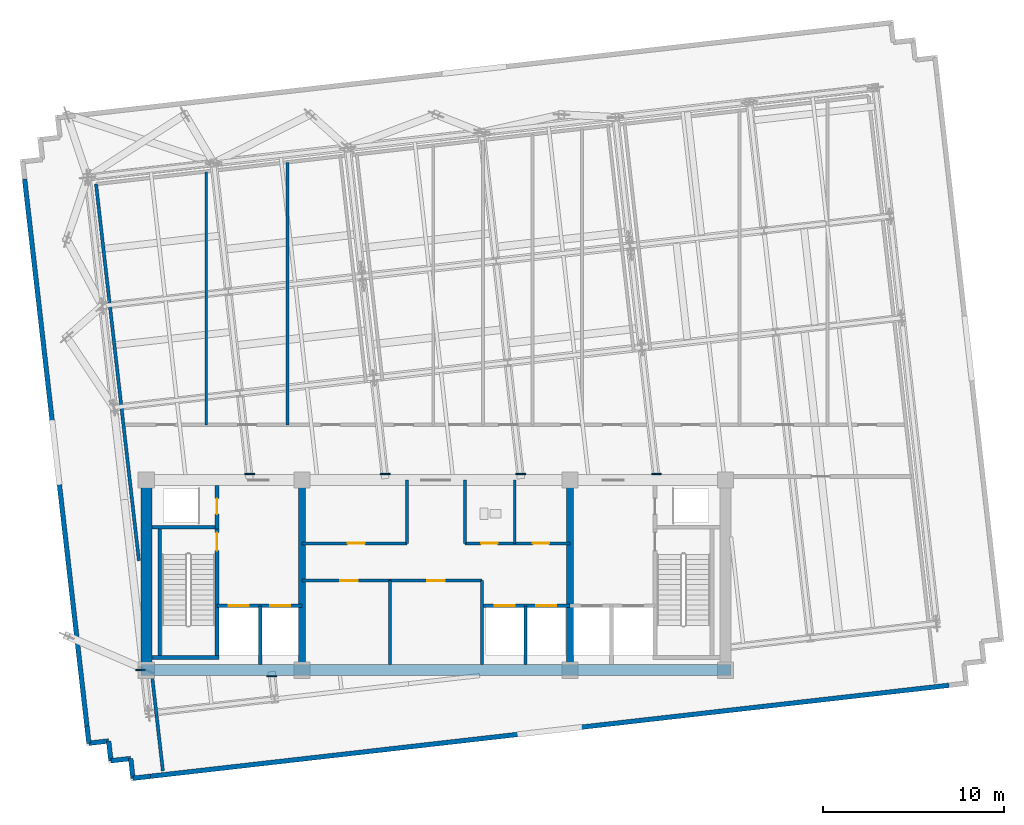
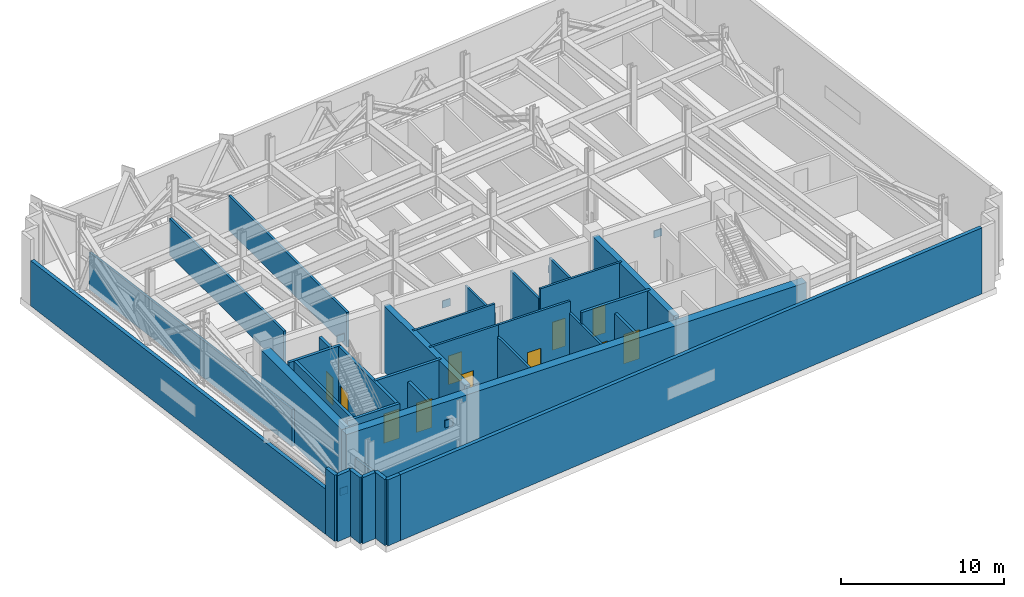
# One storey, part 5 of 10: 34 walls, 11 doors, 6 plates, 11 openings.
"""IFC4 building model written with IfcOpenShell, lengths in metres."""

from ifc_helpers import new_model, si_unit, direction, frame, frame_2d, origin, origin_2d, place, context, subcontext, project, spatial, rectangle, extrude, material, layer, layer_set, type_object, element, fill, save


model = new_model("IFC4")

# Units and contexts
model_context = context("Model", 3, precision=1e-05, world=origin(), true_north=direction((0.0, 1.0)))
body_context = subcontext(model_context, "Body", "Model", "MODEL_VIEW")
ifc_project = project(units=[si_unit("LENGTHUNIT", "METRE"), si_unit("AREAUNIT", "SQUARE_METRE"), si_unit("VOLUMEUNIT", "CUBIC_METRE"), si_unit("PLANEANGLEUNIT", "RADIAN"), si_unit("MASSUNIT", "GRAM", prefix="KILO")], contexts=[model_context])

# Site, building, storey
site_placement = place(None, origin())
site = spatial("IfcSite", under=ifc_project, at=site_placement, CompositionType="ELEMENT")
building_placement = place(site_placement, origin())
building = spatial("IfcBuilding", under=site, at=building_placement, Name="Solmavex Isthmus Hotel", CompositionType="ELEMENT")
storey_placement = place(building_placement, frame((0.0, 0.0, 240.0)))
storey = spatial("IfcBuildingStorey", under=building, at=storey_placement, Name="L65", CompositionType="ELEMENT", Elevation=240.0)

# Plates
ifc_material_1 = material(Name="Steel ASTM A572 Grade 50", Category="steel")
ifc_layer_1 = layer(ifc_material_1, 0.06005859375)
ifc_layer_set_1 = layer_set([ifc_layer_1], Name="Steel ASTM A572 Grade 50")
plate_type = type_object("IfcPlateType", Name="PLT-EMBED-60", PredefinedType="USERDEFINED", material=ifc_layer_set_1)
for number, where, z_axis, x_axis, name in (
    (1, (-9.077392578125, -13.335693359375, 2.77685546875), (0.0, 0.0, 1.0), (1.0, 0.0, 0.0), "Outrigger Strut Core Cast-In Embedment Stiffener Plate 090"),
    (2, (-10.30029296875, -2.164306640625, 2.77685546875), (0.0, 0.0, 1.0), (1.0, 0.0, 0.0), "Outrigger Strut Core Cast-In Embedment Stiffener Plate 091"),
    (3, (-2.80615234375, -2.164306640625, 2.77685546875), (0.0, 0.0, 1.0), (1.0, 0.0, 0.0), "Outrigger Strut Core Cast-In Embedment Stiffener Plate 092"),
    (4, (4.688232421875, -2.164306640625, 2.77685546875), (0.0, 0.0, 1.0), (1.0, 0.0, 0.0), "Outrigger Strut Core Cast-In Embedment Stiffener Plate 093"),
    (5, (12.182373046875, -2.164306640625, 2.77685546875), (0.0, 0.0, 1.0), (1.0, 0.0, 0.0), "Outrigger Strut Core Cast-In Embedment Stiffener Plate 094"),
    (6, (-16.322998046875, -12.989990234375, 0.02490234375), (0.0, 0.0, 1.0), (1.0, 0.0, 0.0), "Outrigger Strut Core Cast-In Embedment Stiffener Plate 108"),
):
    element("IfcPlate", number, at=place(storey_placement, frame(where, z_axis=z_axis, x_axis=x_axis)), inside=storey, type_object=plate_type, Name=name, ObjectType="STIFFENER_PLATE", PredefinedType="USERDEFINED", context=body_context, shape_type="SweptSolid", body=[
        extrude(rectangle(XDim=0.550048828125, YDim=0.06005859375, at=origin_2d()), origin(), (0.0, 0.0, 1.0), 0.550048828125),
    ])

# Walls
ifc_material_2 = material(Name="Precast Concrete C40/50", Category="concrete")
ifc_layer_2 = layer(ifc_material_2, 0.260009765625)
ifc_layer_set_2 = layer_set([ifc_layer_2], Name="Precast Concrete C40/50")
wall_type_1 = type_object("IfcWallType", Name="EW-CRN-260", PredefinedType="STANDARD", material=ifc_layer_set_2)
wall_1_placement = place(storey_placement, frame((-15.77783203125, -18.864990234375, 0.0), z_axis=(0.0, 0.0, 1.0), x_axis=(-0.99356346793, -0.113276807846, 0.0)))
element("IfcWall", 7, at=wall_1_placement, inside=storey, type_object=wall_type_1, Name="Plant Acoustic Louvre Enclosure Wall L65-01", PredefinedType="STANDARD", context=body_context, shape_type="SweptSolid", body=[
    extrude(rectangle(XDim=0.969970703125, YDim=0.260009765625, at=frame_2d((0.48486328125, 0.0))), origin(), (0.0, 0.0, 1.0), 4.949951171875),
])
for number, where, z_axis, x_axis, name in (
    (8, (-16.741455078125, -18.974853515625, 0.0), (0.0, 0.0, 1.0), (-0.113183557839, 0.99357409499, 0.0), "Plant Acoustic Louvre Enclosure Wall L65-02"),
    (9, (-16.865966796875, -17.8818359375, 0.0), (0.0, 0.0, 1.0), (-0.99357409499, -0.113183557839, 0.0), "Plant Acoustic Louvre Enclosure Wall L65-03"),
):
    element("IfcWall", number, at=place(storey_placement, frame(where, z_axis=z_axis, x_axis=x_axis)), inside=storey, type_object=wall_type_1, Name=name, PredefinedType="STANDARD", context=body_context, shape_type="SweptSolid", body=[
        extrude(rectangle(XDim=1.10009765625, YDim=0.260009765625, at=frame_2d((0.550048828125, 0.0))), origin(), (0.0, 0.0, 1.0), 4.949951171875),
    ])
wall_2_placement = place(storey_placement, frame((-17.958984375, -18.00634765625, 0.0), z_axis=(0.0, 0.0, 1.0), x_axis=(-0.11320852056, 0.99357125103, 0.0)))
element("IfcWall", 10, at=wall_2_placement, inside=storey, type_object=wall_type_1, Name="Plant Acoustic Louvre Enclosure Wall L65-04", PredefinedType="STANDARD", context=body_context, shape_type="SweptSolid", body=[
    extrude(rectangle(XDim=1.099853515625, YDim=0.260009765625, at=frame_2d((0.5498046875, 0.0))), origin(), (0.0, 0.0, 1.0), 4.949951171875),
])
wall_3_placement = place(storey_placement, frame((-18.08349609375, -16.91357421875, 0.0), z_axis=(0.0, 0.0, 1.0), x_axis=(-0.99357409499, -0.113183557839, 0.0)))
element("IfcWall", 11, at=wall_3_placement, inside=storey, type_object=wall_type_1, Name="Plant Acoustic Louvre Enclosure Wall L65-05", PredefinedType="STANDARD", context=body_context, shape_type="SweptSolid", body=[
    extrude(rectangle(XDim=1.10009765625, YDim=0.260009765625, at=frame_2d((0.550048828125, 0.0))), origin(), (0.0, 0.0, 1.0), 4.949951171875),
])
wall_4_placement = place(storey_placement, frame((-19.176513671875, -17.0380859375, 0.0), z_axis=(0.0, 0.0, 1.0), x_axis=(-0.113000037402, 0.993594983656, 0.0)))
element("IfcWall", 12, at=wall_4_placement, inside=storey, type_object=wall_type_1, Name="Plant Acoustic Louvre Enclosure Wall L65-06", PredefinedType="STANDARD", context=body_context, shape_type="SweptSolid", body=[
    extrude(rectangle(XDim=0.969970703125, YDim=0.260009765625, at=frame_2d((0.48486328125, 0.0))), origin(), (0.0, 0.0, 1.0), 4.949951171875),
])
wall_5_placement = place(storey_placement, frame((-19.2861328125, -16.07421875, 0.0), z_axis=(0.0, 0.0, 1.0), x_axis=(-0.11320412083, 0.99357175233, 0.0)))
element("IfcWall", 13, at=wall_5_placement, inside=storey, type_object=wall_type_1, Name="Plant Acoustic Louvre Enclosure Wall L65-07", PredefinedType="STANDARD", context=body_context, shape_type="SweptSolid", body=[
    extrude(rectangle(XDim=30.39990234375, YDim=0.260009765625, at=frame_2d((15.199951171875, 0.0))), origin(), (0.0, 0.0, 1.0), 3.385009765625),
])
wall_6_placement = place(storey_placement, frame((28.3369140625, -13.8388671875, 0.0), z_axis=(0.0, 0.0, 1.0), x_axis=(-0.993572153034, -0.113200603864, 0.0)))
element("IfcWall", 14, at=wall_6_placement, inside=storey, type_object=wall_type_1, Name="Plant Acoustic Louvre Enclosure Wall L65-28", PredefinedType="STANDARD", context=body_context, shape_type="SweptSolid", body=[
    extrude(rectangle(XDim=44.400146484375, YDim=0.260009765625, at=frame_2d((22.2001953125, 0.0))), origin(), (0.0, 0.0, 1.0), 4.949951171875),
])

# Wall, opening, door
ifc_material_3 = material(Name="Gypsum plasterboard lining", Category="gypsum")
ifc_layer_3 = layer(ifc_material_3, 0.159912109375)
ifc_layer_set_3 = layer_set([ifc_layer_3], Name="Gypsum plasterboard lining")
wall_type_2 = type_object("IfcWallType", Name="IW-COMP-160", PredefinedType="PARTITIONING", material=ifc_layer_set_3)
wall_7_placement = place(storey_placement, frame((-7.39990234375, -8.050048828125, 0.0), z_axis=(0.0, 0.0, 1.0), x_axis=(1.0, 0.0, 0.0)))
wall_7 = element("IfcWall", 15, at=wall_7_placement, inside=storey, type_object=wall_type_2, Name="Interior Partition Wall W-L65-REC-PLL-N", PredefinedType="PARTITIONING", context=body_context, shape_type="SweptSolid", body=[
    extrude(rectangle(XDim=4.849853515625, YDim=0.159912109375, at=frame_2d((2.4248046875, 0.0))), origin(), (0.0, 0.0, 1.0), 4.949951171875),
])
opening_1_placement = place(wall_7_placement, frame((2.125, 0.0, 0.0)))
opening_1 = element("IfcOpeningElement", 16, at=opening_1_placement, cuts=wall_7, Name="Opening ID-C095", PredefinedType="OPENING", context=body_context, shape_type="SweptSolid", body=[
    extrude(rectangle(XDim=0.949951171875, YDim=2.14990234375, at=frame_2d((0.47509765625, 1.074951171875))), frame((0.0, 0.08984375, 0.0), z_axis=(0.0, -1.0, 0.0), x_axis=(1.0, 0.0, 0.0)), (0.0, 0.0, 1.0), 0.179931640625),
])
ifc_material_4 = material(Name="Hardwood timber", Category="wood")
door_type_1 = type_object("IfcDoorType", Name="IDR-FD60-0950", OperationType="NOTDEFINED", PredefinedType="DOOR", material=ifc_material_4)
door_1_placement = place(opening_1_placement, origin())
door_1 = element("IfcDoor", 17, at=door_1_placement, inside=storey, type_object=door_type_1, Name="Linen Reserve Door L65", OperationType="SINGLE_SWING_LEFT", OverallHeight=2.14990234375, OverallWidth=0.949951171875, PredefinedType="DOOR", context=body_context, shape_type="SweptSolid", body=[
    extrude(rectangle(XDim=0.949951171875, YDim=2.14990234375, at=frame_2d((0.47509765625, 1.074951171875))), frame((0.0, 0.02490234375, 0.0), z_axis=(0.0, -1.0, 0.0), x_axis=(1.0, 0.0, 0.0)), (0.0, 0.0, 1.0), 0.050048828125),
])
fill(opening_1, door_1)

# Wall
wall_8_placement = place(storey_placement, frame((-2.550048828125, -12.699951171875, 0.0), z_axis=(0.0, 0.0, 1.0), x_axis=(0.0, 1.0, 0.0)))
element("IfcWall", 18, at=wall_8_placement, inside=storey, type_object=wall_type_2, Name="Interior Partition Wall W-L65-REC-PLL-E", PredefinedType="PARTITIONING", context=body_context, shape_type="SweptSolid", body=[
    extrude(rectangle(XDim=4.64990234375, YDim=0.159912109375, at=frame_2d((2.324951171875, 0.0))), origin(), (0.0, 0.0, 1.0), 4.0849609375),
])

# Wall, opening, door
wall_9_placement = place(storey_placement, frame((-2.550048828125, -8.050048828125, 0.0), z_axis=(0.0, 0.0, 1.0), x_axis=(1.0, 0.0, 0.0)))
wall_9 = element("IfcWall", 19, at=wall_9_placement, inside=storey, type_object=wall_type_2, Name="Interior Partition Wall W-L65-REC-PLM-N", PredefinedType="PARTITIONING", context=body_context, shape_type="SweptSolid", body=[
    extrude(rectangle(XDim=5.10009765625, YDim=0.159912109375, at=frame_2d((2.550048828125, 0.0))), origin(), (0.0, 0.0, 1.0), 4.949951171875),
])
opening_2_placement = place(wall_9_placement, frame((2.074951171875, 0.0, 0.0)))
opening_2 = element("IfcOpeningElement", 20, at=opening_2_placement, cuts=wall_9, Name="Opening ID-C095", PredefinedType="OPENING", context=body_context, shape_type="SweptSolid", body=[
    extrude(rectangle(XDim=0.949951171875, YDim=2.14990234375, at=frame_2d((0.47509765625, 1.074951171875))), frame((0.0, 0.08984375, 0.0), z_axis=(0.0, -1.0, 0.0), x_axis=(1.0, 0.0, 0.0)), (0.0, 0.0, 1.0), 0.179931640625),
])
door_2_placement = place(opening_2_placement, origin())
door_2 = element("IfcDoor", 21, at=door_2_placement, inside=storey, type_object=door_type_1, Name="Butler Store Door L65", OperationType="SINGLE_SWING_RIGHT", OverallHeight=2.14990234375, OverallWidth=0.949951171875, PredefinedType="DOOR", context=body_context, shape_type="SweptSolid", body=[
    extrude(rectangle(XDim=0.949951171875, YDim=2.14990234375, at=frame_2d((0.47509765625, 1.074951171875))), frame((0.0, 0.02490234375, 0.0), z_axis=(0.0, -1.0, 0.0), x_axis=(1.0, 0.0, 0.0)), (0.0, 0.0, 1.0), 0.050048828125),
])
fill(opening_2, door_2)

# Walls
wall_10_placement = place(storey_placement, frame((2.550048828125, -12.699951171875, 0.0), z_axis=(0.0, 0.0, 1.0), x_axis=(0.0, 1.0, 0.0)))
element("IfcWall", 22, at=wall_10_placement, inside=storey, type_object=wall_type_2, Name="Interior Partition Wall W-L65-REC-PLM-E", PredefinedType="PARTITIONING", context=body_context, shape_type="SweptSolid", body=[
    extrude(rectangle(XDim=4.64990234375, YDim=0.159912109375, at=frame_2d((2.324951171875, 0.0))), origin(), (0.0, 0.0, 1.0), 4.0849609375),
])
wall_11_placement = place(storey_placement, frame((-12.68994140625, 0.550048828125, 0.0), z_axis=(0.0, 0.0, 1.0), x_axis=(0.0, 1.0, 0.0)))
element("IfcWall", 23, at=wall_11_placement, inside=storey, type_object=wall_type_2, Name="Interior Partition Wall W-L65-PX1", PredefinedType="PARTITIONING", context=body_context, shape_type="SweptSolid", body=[
    extrude(rectangle(XDim=13.979248046875, YDim=0.159912109375, at=frame_2d((6.98974609375, 0.0))), origin(), (0.0, 0.0, 1.0), 2.78173828125),
])
wall_12_placement = place(storey_placement, frame((-8.2099609375, 0.550048828125, 0.0), z_axis=(0.0, 0.0, 1.0), x_axis=(0.0, 1.0, 0.0)))
element("IfcWall", 24, at=wall_12_placement, inside=storey, type_object=wall_type_2, Name="Interior Partition Wall W-L65-PX2", PredefinedType="PARTITIONING", context=body_context, shape_type="SweptSolid", body=[
    extrude(rectangle(XDim=14.489501953125, YDim=0.159912109375, at=frame_2d((7.24462890625, 0.0))), origin(), (0.0, 0.0, 1.0), 2.615966796875),
])

# Wall, opening, door
ifc_layer_4 = layer(ifc_material_3, 0.14990234375)
ifc_layer_set_4 = layer_set([ifc_layer_4], Name="Gypsum plasterboard lining")
wall_type_3 = type_object("IfcWallType", Name="IW-CORR-150", PredefinedType="PARTITIONING", material=ifc_layer_set_4)
wall_13_placement = place(storey_placement, frame((-7.39990234375, -6.0, 0.0), z_axis=(0.0, 0.0, 1.0), x_axis=(1.0, 0.0, 0.0)))
wall_13 = element("IfcWall", 25, at=wall_13_placement, inside=storey, type_object=wall_type_3, Name="Interior Partition Wall W-L65-BOH-WS", PredefinedType="PARTITIONING", context=body_context, shape_type="SweptSolid", body=[
    extrude(rectangle(XDim=5.7998046875, YDim=0.14990234375, at=frame_2d((2.89990234375, 0.0))), origin(), (0.0, 0.0, 1.0), 4.949951171875),
])
opening_3_placement = place(wall_13_placement, frame((2.52490234375, 0.0, 0.0)))
opening_3 = element("IfcOpeningElement", 26, at=opening_3_placement, cuts=wall_13, Name="Opening ID-C095", PredefinedType="OPENING", context=body_context, shape_type="SweptSolid", body=[
    extrude(rectangle(XDim=0.949951171875, YDim=2.14990234375, at=frame_2d((0.47509765625, 1.074951171875))), frame((0.0, 0.0849609375, 0.0), z_axis=(0.0, -1.0, 0.0), x_axis=(1.0, 0.0, 0.0)), (0.0, 0.0, 1.0), 0.169921875),
])
door_3_placement = place(opening_3_placement, frame((0.949951171875, 0.0, 0.0), z_axis=(0.0, 0.0, 1.0), x_axis=(-1.0, 0.0, 0.0)))
door_3 = element("IfcDoor", 27, at=door_3_placement, inside=storey, type_object=door_type_1, Name="Housekeeping Room Door L65", OperationType="SINGLE_SWING_LEFT", OverallHeight=2.14990234375, OverallWidth=0.949951171875, PredefinedType="DOOR", context=body_context, shape_type="SweptSolid", body=[
    extrude(rectangle(XDim=0.949951171875, YDim=2.14990234375, at=frame_2d((0.47509765625, 1.074951171875))), frame((0.0, 0.02490234375, 0.0), z_axis=(0.0, -1.0, 0.0), x_axis=(1.0, 0.0, 0.0)), (0.0, 0.0, 1.0), 0.050048828125),
])
fill(opening_3, door_3)

# Wall
wall_14_placement = place(storey_placement, frame((-1.60009765625, -6.0, 0.0), z_axis=(0.0, 0.0, 1.0), x_axis=(0.0, 1.0, 0.0)))
element("IfcWall", 28, at=wall_14_placement, inside=storey, type_object=wall_type_3, Name="Interior Partition Wall W-L65-BOH-WE", PredefinedType="PARTITIONING", context=body_context, shape_type="SweptSolid", body=[
    extrude(rectangle(XDim=3.5, YDim=0.14990234375, at=frame_2d((1.75, 0.0))), origin(), (0.0, 0.0, 1.0), 4.195068359375),
])

# Wall, openings, doors
wall_15_placement = place(storey_placement, frame((1.60009765625, -6.0, 0.0), z_axis=(0.0, 0.0, 1.0), x_axis=(1.0, 0.0, 0.0)))
wall_15 = element("IfcWall", 29, at=wall_15_placement, inside=storey, type_object=wall_type_3, Name="Interior Partition Wall W-L65-BOH-ES", PredefinedType="PARTITIONING", context=body_context, shape_type="SweptSolid", body=[
    extrude(rectangle(XDim=5.7998046875, YDim=0.14990234375, at=frame_2d((2.89990234375, 0.0))), origin(), (0.0, 0.0, 1.0), 4.949951171875),
])
opening_4_placement = place(wall_15_placement, frame((0.89990234375, 0.0, 0.0)))
opening_4 = element("IfcOpeningElement", 30, at=opening_4_placement, cuts=wall_15, Name="Opening ID-C090", PredefinedType="OPENING", context=body_context, shape_type="SweptSolid", body=[
    extrude(rectangle(XDim=0.89990234375, YDim=2.10009765625, at=frame_2d((0.449951171875, 1.050048828125))), frame((0.0, 0.0849609375, 0.0), z_axis=(0.0, -1.0, 0.0), x_axis=(1.0, 0.0, 0.0)), (0.0, 0.0, 1.0), 0.169921875),
])
opening_5_placement = place(wall_15_placement, frame((3.75, 0.0, 0.0)))
opening_5 = element("IfcOpeningElement", 31, at=opening_5_placement, cuts=wall_15, Name="Opening ID-C090", PredefinedType="OPENING", context=body_context, shape_type="SweptSolid", body=[
    extrude(rectangle(XDim=0.89990234375, YDim=2.10009765625, at=frame_2d((0.449951171875, 1.050048828125))), frame((0.0, 0.0849609375, 0.0), z_axis=(0.0, -1.0, 0.0), x_axis=(1.0, 0.0, 0.0)), (0.0, 0.0, 1.0), 0.169921875),
])
door_type_2 = type_object("IfcDoorType", Name="IDR-FD60-0900", OperationType="NOTDEFINED", PredefinedType="DOOR", material=ifc_material_4)
door_4_placement = place(opening_4_placement, frame((0.89990234375, 0.0, 0.0), z_axis=(0.0, 0.0, 1.0), x_axis=(-1.0, 0.0, 0.0)))
door_4 = element("IfcDoor", 32, at=door_4_placement, inside=storey, type_object=door_type_2, Name="Staff WC Door L65", OperationType="SINGLE_SWING_RIGHT", OverallHeight=2.10009765625, OverallWidth=0.89990234375, PredefinedType="DOOR", context=body_context, shape_type="SweptSolid", body=[
    extrude(rectangle(XDim=0.89990234375, YDim=2.10009765625, at=frame_2d((0.449951171875, 1.050048828125))), frame((0.0, 0.02490234375, 0.0), z_axis=(0.0, -1.0, 0.0), x_axis=(1.0, 0.0, 0.0)), (0.0, 0.0, 1.0), 0.050048828125),
])
fill(opening_4, door_4)
door_5_placement = place(opening_5_placement, frame((0.89990234375, 0.0, 0.0), z_axis=(0.0, 0.0, 1.0), x_axis=(-1.0, 0.0, 0.0)))
door_5 = element("IfcDoor", 33, at=door_5_placement, inside=storey, type_object=door_type_2, Name="Pantry Door L65", OperationType="SINGLE_SWING_LEFT", OverallHeight=2.10009765625, OverallWidth=0.89990234375, PredefinedType="DOOR", context=body_context, shape_type="SweptSolid", body=[
    extrude(rectangle(XDim=0.89990234375, YDim=2.10009765625, at=frame_2d((0.449951171875, 1.050048828125))), frame((0.0, 0.02490234375, 0.0), z_axis=(0.0, -1.0, 0.0), x_axis=(1.0, 0.0, 0.0)), (0.0, 0.0, 1.0), 0.050048828125),
])
fill(opening_5, door_5)

# Walls
wall_16_placement = place(storey_placement, frame((1.60009765625, -6.0, 0.0), z_axis=(0.0, 0.0, 1.0), x_axis=(0.0, 1.0, 0.0)))
element("IfcWall", 34, at=wall_16_placement, inside=storey, type_object=wall_type_3, Name="Interior Partition Wall W-L65-BOH-EW", PredefinedType="PARTITIONING", context=body_context, shape_type="SweptSolid", body=[
    extrude(rectangle(XDim=3.5, YDim=0.14990234375, at=frame_2d((1.75, 0.0))), origin(), (0.0, 0.0, 1.0), 4.195068359375),
])
ifc_layer_5 = layer(ifc_material_3, 0.1201171875)
ifc_layer_set_5 = layer_set([ifc_layer_5], Name="Gypsum plasterboard lining")
wall_type_4 = type_object("IfcWallType", Name="IW-PART-120", PredefinedType="PARTITIONING", material=ifc_layer_set_5)
wall_17_placement = place(storey_placement, frame((4.35009765625, -6.0, 0.0), z_axis=(0.0, 0.0, 1.0), x_axis=(0.0, 1.0, 0.0)))
element("IfcWall", 35, at=wall_17_placement, inside=storey, type_object=wall_type_4, Name="Interior Partition Wall W-L65-BOH-EM0", PredefinedType="PARTITIONING", context=body_context, shape_type="SweptSolid", body=[
    extrude(rectangle(XDim=3.5, YDim=0.14990234375, at=frame_2d((1.75, 0.0))), origin(), (0.0, 0.0, 1.0), 4.195068359375),
])
ifc_material_5 = material(Name="Concrete C40/50", Category="concrete")
ifc_layer_6 = layer(ifc_material_5, 0.179931640625)
ifc_layer_set_6 = layer_set([ifc_layer_6], Name="Concrete C40/50")
wall_type_5 = type_object("IfcWallType", Name="IW-SHAFT-180", PredefinedType="PARTITIONING", material=ifc_layer_set_6)
wall_18_placement = place(storey_placement, frame((4.949951171875, -12.699951171875, 0.0), z_axis=(0.0, 0.0, 1.0), x_axis=(0.0, 1.0, 0.0)))
element("IfcWall", 36, at=wall_18_placement, inside=storey, type_object=wall_type_5, Name="Interior Partition Wall W-L65-SH-PLH-M", PredefinedType="PARTITIONING", context=body_context, shape_type="SweptSolid", body=[
    extrude(rectangle(XDim=3.25, YDim=0.179931640625, at=frame_2d((1.625, 0.0))), origin(), (0.0, 0.0, 1.0), 4.0849609375),
])
wall_19_placement = place(storey_placement, frame((-15.087158203125, -18.56494140625, 0.0), z_axis=(0.0, 0.0, 1.0), x_axis=(-0.113214809653, 0.993570534424, 0.0)))
element("IfcWall", 37, at=wall_19_placement, inside=storey, type_object=wall_type_5, Name="Interior Partition Wall W-L65-BTW1", PredefinedType="PARTITIONING", context=body_context, shape_type="SweptSolid", body=[
    extrude(rectangle(XDim=5.1884765625, YDim=0.179931640625, at=frame_2d((2.59423828125, 0.0))), origin(), (0.0, 0.0, 1.0), 2.78173828125),
])
wall_20_placement = place(storey_placement, frame((-16.409912109375, -6.95556640625, 0.0), z_axis=(0.0, 0.0, 1.0), x_axis=(-0.113203384213, 0.993571836257, 0.0)))
element("IfcWall", 38, at=wall_20_placement, inside=storey, type_object=wall_type_5, Name="Interior Partition Wall W-L65-BTW2", PredefinedType="PARTITIONING", context=body_context, shape_type="SweptSolid", body=[
    extrude(rectangle(XDim=20.9453125, YDim=0.179931640625, at=frame_2d((10.47265625, 0.0))), origin(), (0.0, 0.0, 1.0), 2.78173828125),
])

# Wall, opening, door
ifc_layer_7 = layer(ifc_material_5, 0.199951171875)
ifc_layer_set_7 = layer_set([ifc_layer_7], Name="Concrete C40/50")
wall_type_6 = type_object("IfcWallType", Name="IW-SHAFT-200", PredefinedType="PARTITIONING", material=ifc_layer_set_7)
wall_21_placement = place(storey_placement, frame((-12.10009765625, -5.199951171875, 0.0), z_axis=(0.0, 0.0, 1.0), x_axis=(0.0, 1.0, 0.0)))
wall_21 = element("IfcWall", 39, at=wall_21_placement, inside=storey, type_object=wall_type_6, Name="Interior Partition Wall W-L65-RSW-E", PredefinedType="PARTITIONING", context=body_context, shape_type="SweptSolid", body=[
    extrude(rectangle(XDim=2.39990234375, YDim=0.199951171875, at=frame_2d((1.199951171875, 0.0))), origin(), (0.0, 0.0, 1.0), 4.195068359375),
])
opening_6_placement = place(wall_21_placement, frame((0.824951171875, 0.0, 0.0)))
opening_6 = element("IfcOpeningElement", 40, at=opening_6_placement, cuts=wall_21, Name="Opening ID-R085", PredefinedType="OPENING", context=body_context, shape_type="SweptSolid", body=[
    extrude(rectangle(XDim=0.85009765625, YDim=2.050048828125, at=frame_2d((0.425048828125, 1.02490234375))), frame((0.0, 0.10986328125, 0.0), z_axis=(0.0, -1.0, 0.0), x_axis=(1.0, 0.0, 0.0)), (0.0, 0.0, 1.0), 0.219970703125),
])
ifc_material_6 = material(Name="Steel ASTM A500 Grade C", Category="steel")
door_type_3 = type_object("IfcDoorType", Name="IDR-FD60-0850", OperationType="NOTDEFINED", PredefinedType="DOOR", material=ifc_material_6)
door_6_placement = place(opening_6_placement, origin())
door_6 = element("IfcDoor", 41, at=door_6_placement, inside=storey, type_object=door_type_3, Name="Electrical Riser Door L65", OperationType="SINGLE_SWING_RIGHT", OverallHeight=2.050048828125, OverallWidth=0.85009765625, PredefinedType="DOOR", context=body_context, shape_type="SweptSolid", body=[
    extrude(rectangle(XDim=0.85009765625, YDim=2.050048828125, at=frame_2d((0.425048828125, 1.02490234375))), frame((0.0, 0.02490234375, 0.0), z_axis=(0.0, -1.0, 0.0), x_axis=(1.0, 0.0, 0.0)), (0.0, 0.0, 1.0), 0.050048828125),
])
fill(opening_6, door_6)

# Wall, openings, doors
wall_22_placement = place(storey_placement, frame((-12.10009765625, -9.449951171875, 0.0), z_axis=(0.0, 0.0, 1.0), x_axis=(1.0, 0.0, 0.0)))
wall_22 = element("IfcWall", 42, at=wall_22_placement, inside=storey, type_object=wall_type_6, Name="Interior Partition Wall W-L65-FFLW-S", PredefinedType="PARTITIONING", context=body_context, shape_type="SweptSolid", body=[
    extrude(rectangle(XDim=4.7001953125, YDim=0.199951171875, at=frame_2d((2.35009765625, 0.0))), origin(), (0.0, 0.0, 1.0), 4.949951171875),
])
opening_7_placement = place(wall_22_placement, frame((0.64990234375, 0.0, 0.0)))
opening_7 = element("IfcOpeningElement", 43, at=opening_7_placement, cuts=wall_22, Name="Opening LD-FF", PredefinedType="OPENING", context=body_context, shape_type="SweptSolid", body=[
    extrude(rectangle(XDim=1.10009765625, YDim=2.199951171875, at=frame_2d((0.550048828125, 1.10009765625))), frame((0.0, 0.10986328125, 0.0), z_axis=(0.0, -1.0, 0.0), x_axis=(1.0, 0.0, 0.0)), (0.0, 0.0, 1.0), 0.219970703125),
])
opening_8_placement = place(wall_22_placement, frame((2.949951171875, 0.0, 0.0)))
opening_8 = element("IfcOpeningElement", 44, at=opening_8_placement, cuts=wall_22, Name="Opening LD-SV", PredefinedType="OPENING", context=body_context, shape_type="SweptSolid", body=[
    extrude(rectangle(XDim=1.10009765625, YDim=2.199951171875, at=frame_2d((0.550048828125, 1.10009765625))), frame((0.0, 0.10986328125, 0.0), z_axis=(0.0, -1.0, 0.0), x_axis=(1.0, 0.0, 0.0)), (0.0, 0.0, 1.0), 0.219970703125),
])
ifc_material_7 = material(Name="Stainless steel 316", Category="steel")
door_type_4 = type_object("IfcDoorType", Name="LDR-FF-1100", OperationType="NOTDEFINED", PredefinedType="DOOR", material=ifc_material_7)
door_7_placement = place(opening_7_placement, origin())
door_7 = element("IfcDoor", 45, at=door_7_placement, inside=storey, type_object=door_type_4, Name="Lift Landing Door FFL-1 L65", OperationType="SLIDING_TO_LEFT", OverallHeight=2.199951171875, OverallWidth=1.10009765625, PredefinedType="DOOR", context=body_context, shape_type="SweptSolid", body=[
    extrude(rectangle(XDim=1.10009765625, YDim=2.199951171875, at=frame_2d((0.550048828125, 1.10009765625))), frame((0.0, 0.02490234375, 0.0), z_axis=(0.0, -1.0, 0.0), x_axis=(1.0, 0.0, 0.0)), (0.0, 0.0, 1.0), 0.050048828125),
])
fill(opening_7, door_7)
door_type_5 = type_object("IfcDoorType", Name="LDR-SV-1100", OperationType="NOTDEFINED", PredefinedType="DOOR", material=ifc_material_7)
door_8_placement = place(opening_8_placement, origin())
door_8 = element("IfcDoor", 46, at=door_8_placement, inside=storey, type_object=door_type_5, Name="Lift Landing Door SVL-1 L65", OperationType="SLIDING_TO_RIGHT", OverallHeight=2.199951171875, OverallWidth=1.10009765625, PredefinedType="DOOR", context=body_context, shape_type="SweptSolid", body=[
    extrude(rectangle(XDim=1.10009765625, YDim=2.199951171875, at=frame_2d((0.550048828125, 1.10009765625))), frame((0.0, 0.02490234375, 0.0), z_axis=(0.0, -1.0, 0.0), x_axis=(1.0, 0.0, 0.0)), (0.0, 0.0, 1.0), 0.050048828125),
])
fill(opening_8, door_8)

# Wall
wall_23_placement = place(storey_placement, frame((-9.699951171875, -12.699951171875, 0.0), z_axis=(0.0, 0.0, 1.0), x_axis=(0.0, 1.0, 0.0)))
element("IfcWall", 47, at=wall_23_placement, inside=storey, type_object=wall_type_6, Name="Interior Partition Wall W-L65-FFLW-M", PredefinedType="PARTITIONING", context=body_context, shape_type="SweptSolid", body=[
    extrude(rectangle(XDim=3.25, YDim=0.199951171875, at=frame_2d((1.625, 0.0))), origin(), (0.0, 0.0, 1.0), 4.0849609375),
])

# Wall, openings, doors
wall_24_placement = place(storey_placement, frame((2.550048828125, -9.449951171875, 0.0), z_axis=(0.0, 0.0, 1.0), x_axis=(1.0, 0.0, 0.0)))
wall_24 = element("IfcWall", 48, at=wall_24_placement, inside=storey, type_object=wall_type_6, Name="Interior Partition Wall W-L65-SH-PLH", PredefinedType="PARTITIONING", context=body_context, shape_type="SweptSolid", body=[
    extrude(rectangle(XDim=4.849853515625, YDim=0.199951171875, at=frame_2d((2.4248046875, 0.0))), origin(), (0.0, 0.0, 1.0), 4.949951171875),
])
opening_9_placement = place(wall_24_placement, frame((0.699951171875, 0.0, 0.0)))
opening_9 = element("IfcOpeningElement", 49, at=opening_9_placement, cuts=wall_24, Name="Opening LD-PL", PredefinedType="OPENING", context=body_context, shape_type="SweptSolid", body=[
    extrude(rectangle(XDim=1.10009765625, YDim=2.199951171875, at=frame_2d((0.550048828125, 1.10009765625))), frame((0.0, 0.10986328125, 0.0), z_axis=(0.0, -1.0, 0.0), x_axis=(1.0, 0.0, 0.0)), (0.0, 0.0, 1.0), 0.219970703125),
])
opening_10_placement = place(wall_24_placement, frame((3.0, 0.0, 0.0)))
opening_10 = element("IfcOpeningElement", 50, at=opening_10_placement, cuts=wall_24, Name="Opening LD-PL", PredefinedType="OPENING", context=body_context, shape_type="SweptSolid", body=[
    extrude(rectangle(XDim=1.10009765625, YDim=2.199951171875, at=frame_2d((0.550048828125, 1.10009765625))), frame((0.0, 0.10986328125, 0.0), z_axis=(0.0, -1.0, 0.0), x_axis=(1.0, 0.0, 0.0)), (0.0, 0.0, 1.0), 0.219970703125),
])
door_type_6 = type_object("IfcDoorType", Name="LDR-PL-1100", OperationType="NOTDEFINED", PredefinedType="DOOR", material=ifc_material_7)
door_9_placement = place(opening_9_placement, origin())
door_9 = element("IfcDoor", 51, at=door_9_placement, inside=storey, type_object=door_type_6, Name="Lift Landing Door PLH1 L65", OperationType="SLIDING_TO_LEFT", OverallHeight=2.199951171875, OverallWidth=1.10009765625, PredefinedType="DOOR", context=body_context, shape_type="SweptSolid", body=[
    extrude(rectangle(XDim=1.10009765625, YDim=2.199951171875, at=frame_2d((0.550048828125, 1.10009765625))), frame((0.0, 0.02490234375, 0.0), z_axis=(0.0, -1.0, 0.0), x_axis=(1.0, 0.0, 0.0)), (0.0, 0.0, 1.0), 0.050048828125),
])
fill(opening_9, door_9)
door_10_placement = place(opening_10_placement, origin())
door_10 = element("IfcDoor", 52, at=door_10_placement, inside=storey, type_object=door_type_6, Name="Lift Landing Door PLH2 L65", OperationType="SLIDING_TO_LEFT", OverallHeight=2.199951171875, OverallWidth=1.10009765625, PredefinedType="DOOR", context=body_context, shape_type="SweptSolid", body=[
    extrude(rectangle(XDim=1.10009765625, YDim=2.199951171875, at=frame_2d((0.550048828125, 1.10009765625))), frame((0.0, 0.02490234375, 0.0), z_axis=(0.0, -1.0, 0.0), x_axis=(1.0, 0.0, 0.0)), (0.0, 0.0, 1.0), 0.050048828125),
])
fill(opening_10, door_10)

# Walls
ifc_material_8 = material(Name="Concrete C50/60", Category="concrete")
ifc_layer_8 = layer(ifc_material_8, 0.39990234375)
ifc_layer_set_8 = layer_set([ifc_layer_8], Name="Concrete C50/60")
wall_type_7 = type_object("IfcWallType", Name="WALL-CW-400H", PredefinedType="SHEAR", material=ifc_layer_set_8)
for number, where, z_axis, x_axis, name in (
    (53, (-7.39990234375, -12.699951171875, 0.0), (0.0, 0.0, 1.0), (0.0, 1.0, 0.0), "Core Cross Shear Wall C1 L65"),
    (54, (7.39990234375, -12.699951171875, 0.0), (0.0, 0.0, 1.0), (0.0, 1.0, 0.0), "Core Cross Shear Wall C2 L65"),
):
    element("IfcWall", number, at=place(storey_placement, frame(where, z_axis=z_axis, x_axis=x_axis)), inside=storey, type_object=wall_type_7, Name=name, PredefinedType="SHEAR", context=body_context, shape_type="SweptSolid", body=[
        extrude(rectangle(XDim=9.89990234375, YDim=0.39990234375, at=frame_2d((4.949951171875, 0.0))), origin(), (0.0, 0.0, 1.0), 4.949951171875),
    ])
ifc_layer_9 = layer(ifc_material_8, 0.60009765625)
ifc_layer_set_9 = layer_set([ifc_layer_9], Name="Concrete C50/60")
wall_type_8 = type_object("IfcWallType", Name="WALL-CW-600", PredefinedType="SHEAR", material=ifc_layer_set_9)
wall_25_placement = place(storey_placement, frame((-16.300048828125, -13.0, 0.0), z_axis=(0.0, 0.0, 1.0), x_axis=(1.0, 0.0, 0.0)))
element("IfcWall", 55, at=wall_25_placement, inside=storey, type_object=wall_type_8, Name="Core Shear Wall South L65", PredefinedType="SHEAR", context=body_context, shape_type="SweptSolid", body=[
    extrude(rectangle(XDim=32.60009765625, YDim=0.60009765625, at=frame_2d((16.300048828125, 0.0))), origin(), (0.0, 0.0, 1.0), 4.669921875),
])
wall_26_placement = place(storey_placement, frame((-16.0, -12.699951171875, 0.0), z_axis=(0.0, 0.0, 1.0), x_axis=(0.0, 1.0, 0.0)))
element("IfcWall", 56, at=wall_26_placement, inside=storey, type_object=wall_type_8, Name="Core Shear Wall West L65", PredefinedType="SHEAR", context=body_context, shape_type="SweptSolid", body=[
    extrude(rectangle(XDim=9.89990234375, YDim=0.60009765625, at=frame_2d((4.949951171875, 0.0))), origin(), (0.0, 0.0, 1.0), 4.669921875),
])
ifc_layer_10 = layer(ifc_material_5, 0.199951171875)
ifc_layer_set_10 = layer_set([ifc_layer_10], Name="Concrete C40/50")
wall_type_9 = type_object("IfcWallType", Name="WALL-SW-200", PredefinedType="SOLIDWALL", material=ifc_layer_set_10)
for number, where, z_axis, x_axis, name in (
    (57, (-15.699951171875, -12.300048828125, 0.0), (0.0, 0.0, 1.0), (1.0, 0.0, 0.0), "Stairwell Structural Wall SW-L65-ST1-S"),
    (58, (-15.699951171875, -5.10009765625, 0.0), (0.0, 0.0, 1.0), (1.0, 0.0, 0.0), "Stairwell Structural Wall SW-L65-ST1-N"),
):
    element("IfcWall", number, at=place(storey_placement, frame(where, z_axis=z_axis, x_axis=x_axis)), inside=storey, type_object=wall_type_9, Name=name, PredefinedType="SOLIDWALL", context=body_context, shape_type="SweptSolid", body=[
        extrude(rectangle(XDim=3.699951171875, YDim=0.199951171875, at=frame_2d((1.85009765625, 0.0))), origin(), (0.0, 0.0, 1.0), 4.949951171875),
    ])
wall_27_placement = place(storey_placement, frame((-15.25, -12.199951171875, 0.0), z_axis=(0.0, 0.0, 1.0), x_axis=(0.0, 1.0, 0.0)))
element("IfcWall", 59, at=wall_27_placement, inside=storey, type_object=wall_type_9, Name="Stairwell Structural Wall SW-L65-ST1-W", PredefinedType="SOLIDWALL", context=body_context, shape_type="SweptSolid", body=[
    extrude(rectangle(XDim=7.0, YDim=0.199951171875, at=frame_2d((3.5, 0.0))), origin(), (0.0, 0.0, 1.0), 4.949951171875),
])

# Wall, opening, door
wall_28_placement = place(storey_placement, frame((-12.10009765625, -12.199951171875, 0.0), z_axis=(0.0, 0.0, 1.0), x_axis=(0.0, 1.0, 0.0)))
wall_28 = element("IfcWall", 60, at=wall_28_placement, inside=storey, type_object=wall_type_9, Name="Stairwell Structural Wall SW-L65-ST1-E", PredefinedType="SOLIDWALL", context=body_context, shape_type="SweptSolid", body=[
    extrude(rectangle(XDim=7.0, YDim=0.199951171875, at=frame_2d((3.5, 0.0))), origin(), (0.0, 0.0, 1.0), 4.949951171875),
])
opening_11_placement = place(wall_28_placement, frame((5.800048828125, 0.0, 0.0)))
opening_11 = element("IfcOpeningElement", 61, at=opening_11_placement, cuts=wall_28, Name="Opening ID-F100", PredefinedType="OPENING", context=body_context, shape_type="SweptSolid", body=[
    extrude(rectangle(XDim=1.0, YDim=2.10009765625, at=frame_2d((0.5, 1.050048828125))), frame((0.0, 0.10986328125, 0.0), z_axis=(0.0, -1.0, 0.0), x_axis=(1.0, 0.0, 0.0)), (0.0, 0.0, 1.0), 0.219970703125),
])
door_type_7 = type_object("IfcDoorType", Name="IDR-FD90-1000", OperationType="NOTDEFINED", PredefinedType="DOOR", material=ifc_material_6)
door_11_placement = place(opening_11_placement, frame((1.0, 0.0, 0.0), z_axis=(0.0, 0.0, 1.0), x_axis=(-1.0, 0.0, 0.0)))
door_11 = element("IfcDoor", 62, at=door_11_placement, inside=storey, type_object=door_type_7, Name="Stair ST-1 Fire Door L65", OperationType="SINGLE_SWING_LEFT", OverallHeight=2.10009765625, OverallWidth=1.0, PredefinedType="DOOR", context=body_context, shape_type="SweptSolid", body=[
    extrude(rectangle(XDim=1.0, YDim=2.10009765625, at=frame_2d((0.5, 1.050048828125))), frame((0.0, 0.02490234375, 0.0), z_axis=(0.0, -1.0, 0.0), x_axis=(1.0, 0.0, 0.0)), (0.0, 0.0, 1.0), 0.050048828125),
])
fill(opening_11, door_11)

save(model, "model.ifc")
